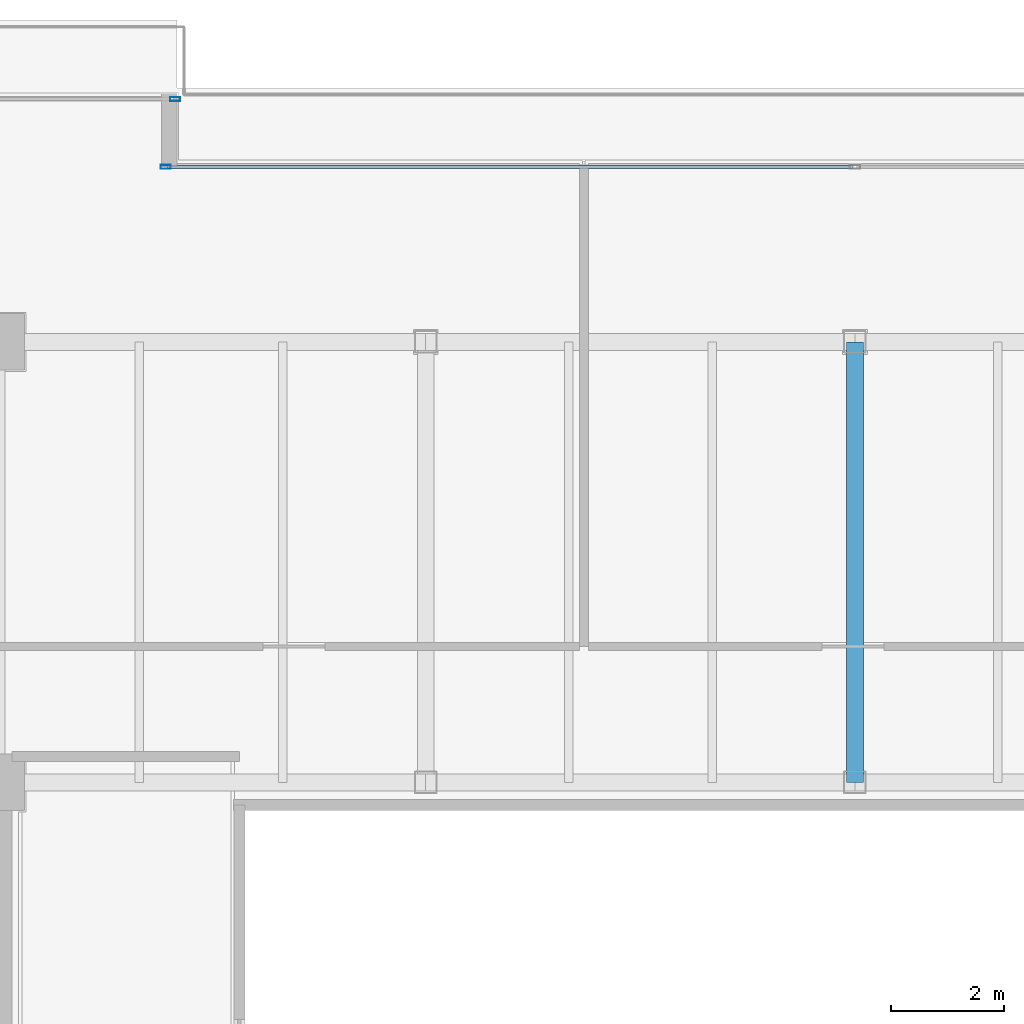
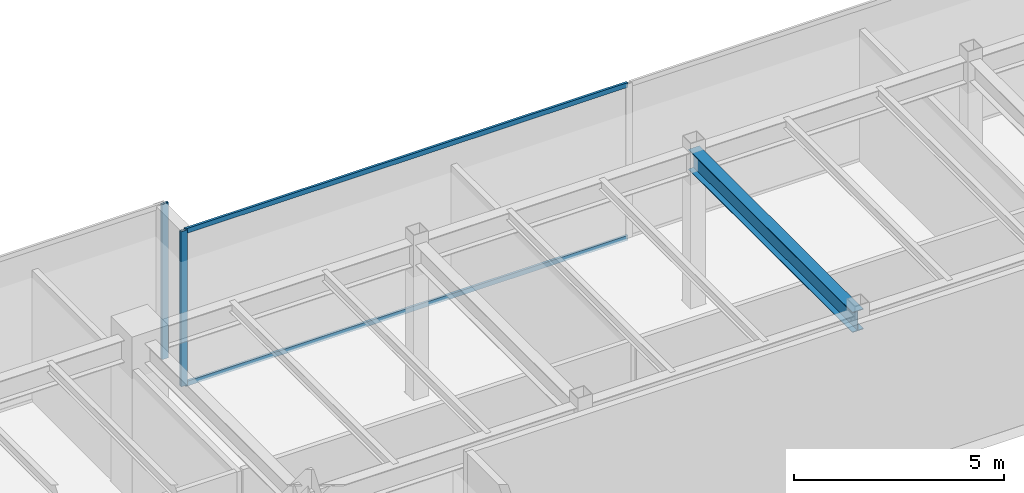
# One storey, part 17 of 37: 4 members, 1 beam, 2 elements without a shape of their own.
"""IFC4 building model written with IfcOpenShell, lengths in metres."""

from ifc_helpers import new_model, si_unit, direction, frame, origin, origin_2d, place, context, subcontext, project, spatial, hollow_rectangle, i_section, extrude, source, transform, mapped, material, layer, layer_set, material_profile, profile_set, type_object, type_shapes, element, aggregate, save


model = new_model("IFC4")

# Units and contexts
model_context = context("Model", 3, precision=1e-05, world=origin(), true_north=direction((0.0, 1.0)))
body_context = subcontext(model_context, "Body", "Model", "MODEL_VIEW")
ifc_project = project(units=[si_unit("LENGTHUNIT", "METRE"), si_unit("AREAUNIT", "SQUARE_METRE"), si_unit("VOLUMEUNIT", "CUBIC_METRE"), si_unit("PLANEANGLEUNIT", "RADIAN"), si_unit("MASSUNIT", "GRAM", prefix="KILO")], contexts=[model_context])

# Site, building, storey
site_placement = place(None, origin())
site = spatial("IfcSite", under=ifc_project, at=site_placement, CompositionType="ELEMENT")
building_placement = place(site_placement, origin())
building = spatial("IfcBuilding", under=site, at=building_placement, Name="Haelvirn Gate Laboratories", CompositionType="ELEMENT")
storey_placement = place(building_placement, frame((0.0, 0.0, 196.60009765625)))
storey = spatial("IfcBuildingStorey", under=building, at=storey_placement, Name="L47", CompositionType="ELEMENT", Elevation=196.60009765625)

# Beam
ifc_material_1 = material(Name="Steel SM355", Category="steel")
ifc_material_profile_1 = material_profile(ifc_material_1, i_section(OverallWidth=0.300048828125, OverallDepth=0.587890625, WebThickness=0.011962890625, FlangeThickness=0.02001953125, at=origin_2d()), Name="H-588x300x12x20")
ifc_profile_set_1 = profile_set([ifc_material_profile_1], Name="Steel SM355")
beam_type = type_object("IfcBeamType", Name="BM-G-588", PredefinedType="BEAM", material=ifc_profile_set_1)
shared_shape_1 = source(origin(), body_context, "Body", "SweptSolid", [
    extrude(i_section(OverallWidth=0.300048828125, OverallDepth=0.587890625, WebThickness=0.011962890625, FlangeThickness=0.02001953125, at=origin_2d()), origin(), (0.0, 0.0, 1.0), 7.800048828125),
])
type_shapes(beam_type, [shared_shape_1])
beam_placement = place(storey_placement, frame((37.39990234375, 33.800048828125, 4.205810546875), z_axis=(0.0, 1.0, 0.0), x_axis=(-1.0, 0.0, 0.0)))
element("IfcBeam", 1, at=beam_placement, inside=storey, type_object=beam_type, Name="L47 Frame Girder X37.4 (33.8-41.6)", PredefinedType="BEAM", context=body_context, shape_type="MappedRepresentation", body=[
    mapped(shared_shape_1, transform((0.0, 0.0, 0.0), scale=1.0)),
])

# Curtain wall, member
ifc_material_2 = material(Name="Anodised bronze unitised aluminium & triple low-E glass", Category="aluminium")
ifc_layer = layer(ifc_material_2, 0.176025390625, Name="CW-SYS-4")
ifc_layer_set = layer_set([ifc_layer], Name="Anodised bronze unitised aluminium & triple low-E glass")
curtain_wall_type = type_object("IfcCurtainWallType", Name="CW-SYS-4", PredefinedType="NOTDEFINED", material=ifc_layer_set)
curtain_wall_1_placement = place(storey_placement, origin())
curtain_wall_1 = element("IfcCurtainWall", 2, at=curtain_wall_1_placement, inside=storey, type_object=curtain_wall_type, Name="L47 Unitised Curtain Wall CW-L47-P0-E12-1", PredefinedType="NOTDEFINED")
ifc_material_3 = material(Name="Extruded aluminium 6063-T6 (anodised bronze)", Category="aluminium")
ifc_material_profile_2 = material_profile(ifc_material_3, hollow_rectangle(XDim=0.070068359375, YDim=0.179931640625, WallThickness=0.0048828125, at=origin_2d()), Name="CWM-180x70x5")
ifc_profile_set_2 = profile_set([ifc_material_profile_2], Name="Extruded aluminium 6063-T6 (anodised bronze)")
member_type_1 = type_object("IfcMemberType", Name="CWM-T180", PredefinedType="MULLION", material=ifc_profile_set_2)
shared_shape_2 = source(origin(), body_context, "Body", "SweptSolid", [
    extrude(hollow_rectangle(XDim=0.070068359375, YDim=0.179931640625, WallThickness=0.0048828125, at=origin_2d()), origin(), (0.0, 0.0, 1.0), 4.5),
])
type_shapes(member_type_1, [shared_shape_2])
member_1_placement = place(storey_placement, frame((25.195068359375, 44.699951171875, 0.0), z_axis=(0.0, 0.0, 1.0), x_axis=(0.0, 1.0, 0.0)))
member_1 = element("IfcMember", 3, at=member_1_placement, type_object=member_type_1, Name="CW4 mullion 1", PredefinedType="MULLION", context=body_context, shape_type="MappedRepresentation", body=[
    mapped(shared_shape_2, transform((0.0, 0.0, 0.0), scale=1.0)),
])

curtain_wall_2_placement = place(storey_placement, origin())
curtain_wall_2 = element("IfcCurtainWall", 4, at=curtain_wall_2_placement, inside=storey, type_object=curtain_wall_type, Name="L47 Unitised Curtain Wall CW-L47-P0-E14-1", PredefinedType="NOTDEFINED")
member_2_placement = place(storey_placement, frame((25.364990234375, 45.89990234375, 0.0), z_axis=(0.0, 0.0, 1.0), x_axis=(0.0, 1.0, 0.0)))
member_2 = element("IfcMember", 5, at=member_2_placement, type_object=member_type_1, Name="CW4 mullion 3", PredefinedType="MULLION", context=body_context, shape_type="MappedRepresentation", body=[
    mapped(shared_shape_2, transform((0.0, 0.0, 0.0), scale=1.0)),
])
aggregate(curtain_wall_2, [member_2])

# Member
ifc_material_profile_3 = material_profile(ifc_material_3, hollow_rectangle(XDim=0.06494140625, YDim=0.139892578125, WallThickness=0.00390625, at=origin_2d()), Name="CWT-140x65x4")
ifc_profile_set_3 = profile_set([ifc_material_profile_3], Name="Extruded aluminium 6063-T6 (anodised bronze)")
member_type_2 = type_object("IfcMemberType", Name="CWT-T140", PredefinedType="USERDEFINED", material=ifc_profile_set_3)
shared_shape_3 = source(origin(), body_context, "Body", "SweptSolid", [
    extrude(hollow_rectangle(XDim=0.06494140625, YDim=0.139892578125, WallThickness=0.00390625, at=origin_2d()), origin(), (0.0, 0.0, 1.0), 12.135009765625),
])
type_shapes(member_type_2, [shared_shape_3])
member_3_placement = place(storey_placement, frame((25.22998046875, 44.699951171875, 0.032470703125), z_axis=(1.0, 0.0, 0.0), x_axis=(0.0, 1.0, 0.0)))
member_3 = element("IfcMember", 6, at=member_3_placement, type_object=member_type_2, Name="CW4 transom 1.1", ObjectType="TRANSOM", PredefinedType="USERDEFINED", context=body_context, shape_type="MappedRepresentation", body=[
    mapped(shared_shape_3, transform((0.0, 0.0, 0.0), scale=1.0)),
])

member_4_placement = place(storey_placement, frame((25.22998046875, 44.699951171875, 4.46728515625), z_axis=(1.0, 0.0, 0.0), x_axis=(0.0, 1.0, 0.0)))
member_4 = element("IfcMember", 7, at=member_4_placement, type_object=member_type_2, Name="CW4 transom 1.2", ObjectType="TRANSOM", PredefinedType="USERDEFINED", context=body_context, shape_type="MappedRepresentation", body=[
    mapped(shared_shape_3, transform((0.0, 0.0, 0.0), scale=1.0)),
])

aggregate(curtain_wall_1, [member_1, member_3, member_4])

save(model, "model.ifc")
